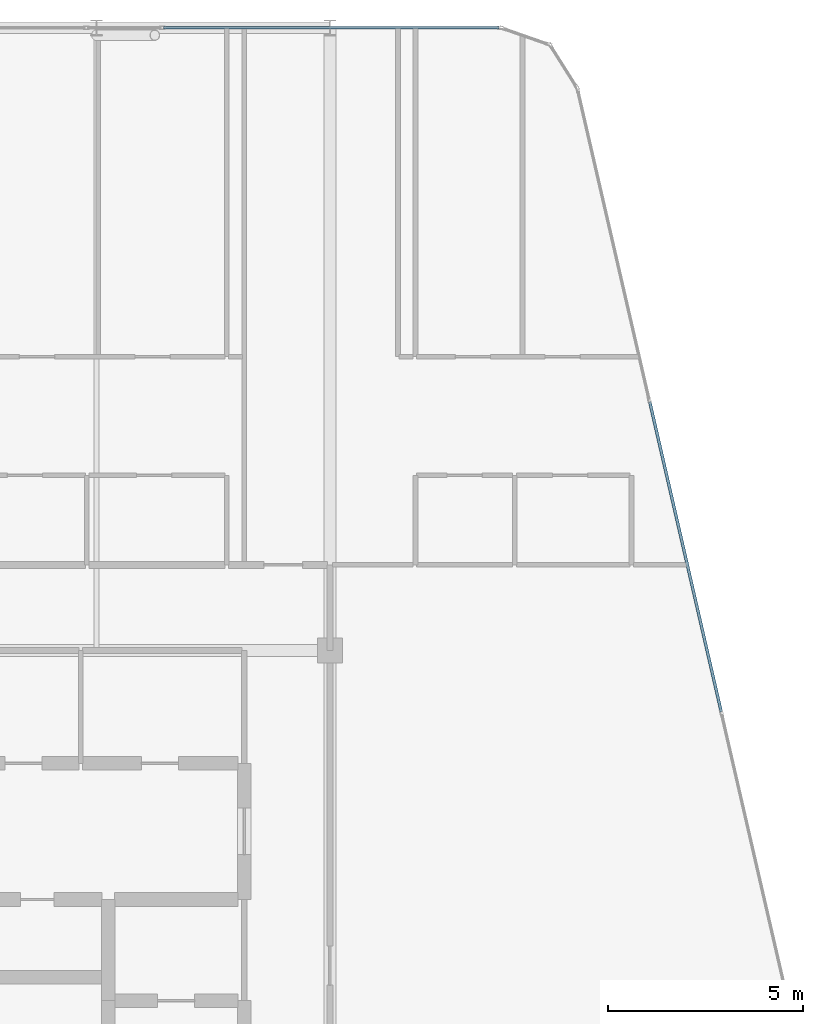
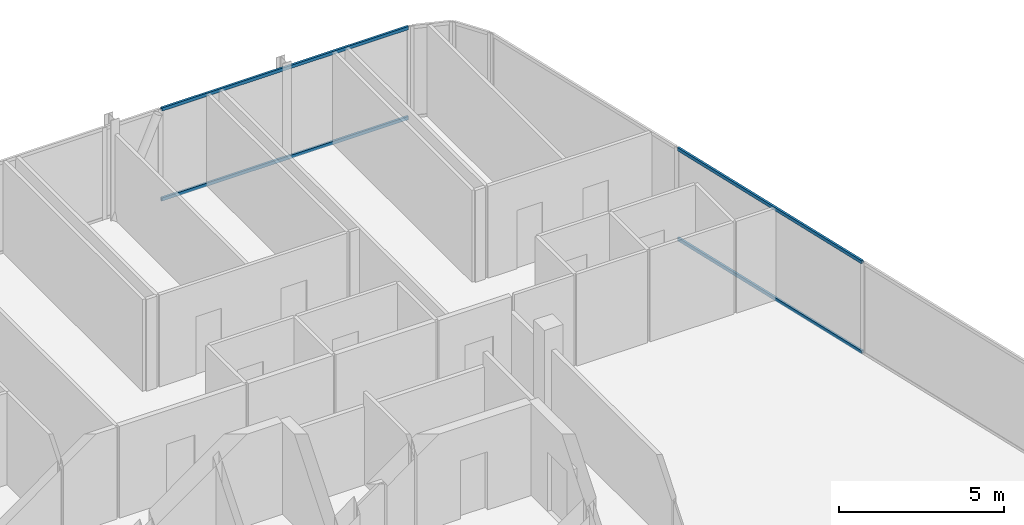
# One storey, part 18 of 27: 4 members, 2 elements without a shape of their own.
"""IFC4 building model written with IfcOpenShell, lengths in metres."""

from ifc_helpers import new_model, si_unit, direction, frame, origin, origin_2d, place, context, subcontext, project, spatial, hollow_rectangle, extrude, material, layer, layer_set, material_profile, profile_set, type_object, element, aggregate, save


model = new_model("IFC4")

# Units and contexts
model_context = context("Model", 3, precision=1e-05, world=origin(), true_north=direction((0.0, 1.0)))
body_context = subcontext(model_context, "Body", "Model", "MODEL_VIEW")
ifc_project = project(units=[si_unit("LENGTHUNIT", "METRE"), si_unit("AREAUNIT", "SQUARE_METRE"), si_unit("VOLUMEUNIT", "CUBIC_METRE"), si_unit("PLANEANGLEUNIT", "RADIAN"), si_unit("MASSUNIT", "GRAM", prefix="KILO")], contexts=[model_context])

# Site, building, storey
site_placement = place(None, origin())
site = spatial("IfcSite", under=ifc_project, at=site_placement, CompositionType="ELEMENT")
building_placement = place(site_placement, origin())
building = spatial("IfcBuilding", under=site, at=building_placement, Name="Keshet Zoharim Tower", CompositionType="ELEMENT")
storey_placement = place(building_placement, frame((0.0, 0.0, 284.300048828125)))
storey = spatial("IfcBuildingStorey", under=building, at=storey_placement, Name="L71", CompositionType="ELEMENT", Elevation=284.300048828125)

# Curtain wall, members
ifc_material = material(Name="Aluminium 6063-T6", Category="aluminium")
ifc_layer = layer(ifc_material, 0.260009765625)
ifc_layer_set = layer_set([ifc_layer], Name="Aluminium 6063-T6")
curtain_wall_type = type_object("IfcCurtainWallType", Name="CW-SYS-06", PredefinedType="NOTDEFINED", material=ifc_layer_set)
curtain_wall_1_placement = place(storey_placement, origin())
curtain_wall_1 = element("IfcCurtainWall", 1, at=curtain_wall_1_placement, inside=storey, type_object=curtain_wall_type, Name="L71 Unitised Curtain Wall 06 Part 5", PredefinedType="NOTDEFINED")
ifc_material_profile = material_profile(ifc_material, hollow_rectangle(XDim=0.074951171875, YDim=0.1201171875, WallThickness=0.00390625, at=origin_2d()), Name="TRN-75x120")
ifc_profile_set = profile_set([ifc_material_profile], Name="Aluminium 6063-T6")
member_type = type_object("IfcMemberType", Name="CWT-T12", PredefinedType="USERDEFINED", material=ifc_profile_set)
member_1_placement = place(storey_placement, frame((28.724853515625, 53.89990234375, 0.034912109375), z_axis=(1.0, 0.0, 0.0), x_axis=(0.0, 1.0, 0.0)))
member_1 = element("IfcMember", 2, at=member_1_placement, type_object=member_type, Name="CW-06 transom 1.1", ObjectType="TRANSOM", PredefinedType="USERDEFINED", context=body_context, shape_type="SweptSolid", body=[
    extrude(hollow_rectangle(XDim=0.074951171875, YDim=0.1201171875, WallThickness=0.00390625, at=origin_2d()), origin(), (0.0, 0.0, 1.0), 8.6142578125),
])
member_2_placement = place(storey_placement, frame((28.724853515625, 53.89990234375, 3.35498046875), z_axis=(1.0, 0.0, 0.0), x_axis=(0.0, 1.0, 0.0)))
member_2 = element("IfcMember", 3, at=member_2_placement, type_object=member_type, Name="CW-06 transom 1.2", ObjectType="TRANSOM", PredefinedType="USERDEFINED", context=body_context, shape_type="SweptSolid", body=[
    extrude(hollow_rectangle(XDim=0.074951171875, YDim=0.1201171875, WallThickness=0.00390625, at=origin_2d()), origin(), (0.0, 0.0, 1.0), 8.6142578125),
])
aggregate(curtain_wall_1, [member_1, member_2])

curtain_wall_2_placement = place(storey_placement, origin())
curtain_wall_2 = element("IfcCurtainWall", 4, at=curtain_wall_2_placement, inside=storey, type_object=curtain_wall_type, Name="L71 Unitised Curtain Wall 09", PredefinedType="NOTDEFINED")
member_3_placement = place(storey_placement, frame((41.218505859375, 44.28662109375, 0.034912109375), z_axis=(0.224826771459, -0.974398749402, 0.0), x_axis=(0.974398749402, 0.224826771459, 0.0)))
member_3 = element("IfcMember", 5, at=member_3_placement, type_object=member_type, Name="CW-06 transom 2.1", ObjectType="TRANSOM", PredefinedType="USERDEFINED", context=body_context, shape_type="SweptSolid", body=[
    extrude(hollow_rectangle(XDim=0.074951171875, YDim=0.1201171875, WallThickness=0.00390625, at=origin_2d()), origin(), (0.0, 0.0, 1.0), 8.17041015625),
])
member_4_placement = place(storey_placement, frame((41.218505859375, 44.28662109375, 3.35498046875), z_axis=(0.224826771459, -0.974398749402, 0.0), x_axis=(0.974398749402, 0.224826771459, 0.0)))
member_4 = element("IfcMember", 6, at=member_4_placement, type_object=member_type, Name="CW-06 transom 2.2", ObjectType="TRANSOM", PredefinedType="USERDEFINED", context=body_context, shape_type="SweptSolid", body=[
    extrude(hollow_rectangle(XDim=0.074951171875, YDim=0.1201171875, WallThickness=0.00390625, at=origin_2d()), origin(), (0.0, 0.0, 1.0), 8.17041015625),
])
aggregate(curtain_wall_2, [member_3, member_4])

save(model, "model.ifc")
